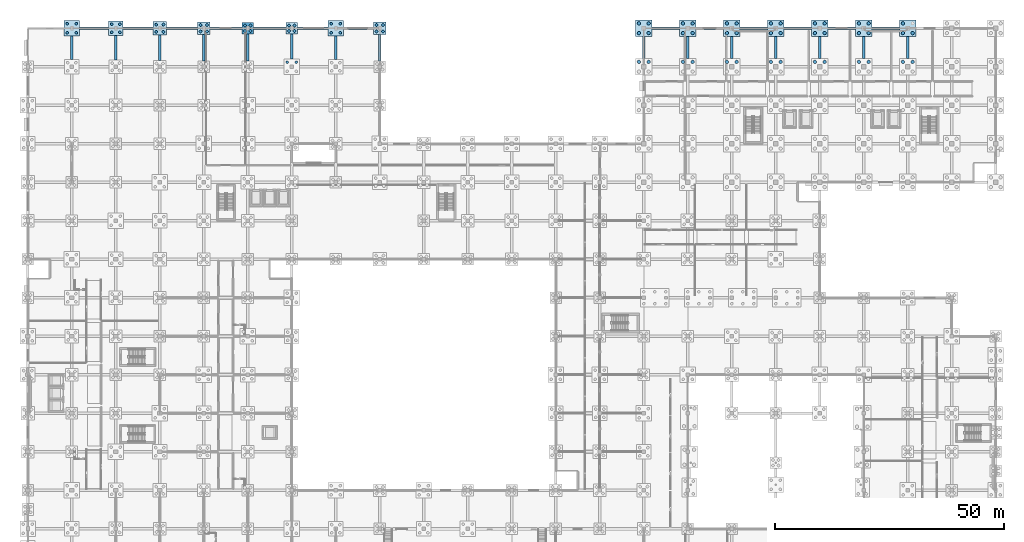
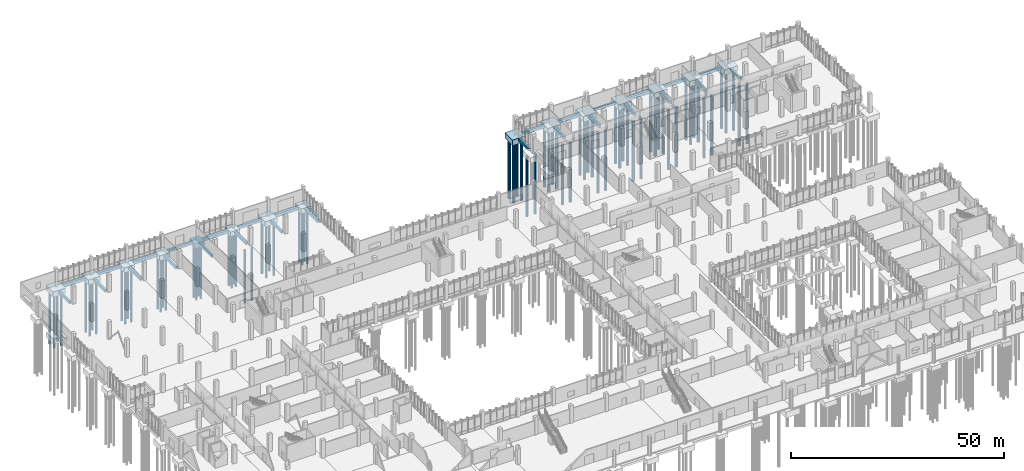
# One storey, part 18 of 136: 75 piles, 43 footings.
"""IFC4 building model written with IfcOpenShell, lengths in metres."""

from ifc_helpers import new_model, si_unit, direction, frame, origin, origin_2d, place, context, subcontext, project, spatial, rectangle, circle, extrude, material, material_profile, profile_set, type_object, element, save


model = new_model("IFC4")

# Units and contexts
model_context = context("Model", 3, precision=1e-05, world=origin(), true_north=direction((0.0, 1.0)))
body_context = subcontext(model_context, "Body", "Model", "MODEL_VIEW")
ifc_project = project(units=[si_unit("LENGTHUNIT", "METRE"), si_unit("AREAUNIT", "SQUARE_METRE"), si_unit("VOLUMEUNIT", "CUBIC_METRE"), si_unit("PLANEANGLEUNIT", "RADIAN"), si_unit("MASSUNIT", "GRAM", prefix="KILO")], contexts=[model_context])

# Site, building, storey
site_placement = place(None, origin())
site = spatial("IfcSite", under=ifc_project, at=site_placement, CompositionType="ELEMENT")
building_placement = place(site_placement, origin())
building = spatial("IfcBuilding", under=site, at=building_placement, Name="Oolite Switchyard Hospital", CompositionType="ELEMENT")
storey_placement = place(building_placement, origin())
storey = spatial("IfcBuildingStorey", under=building, at=storey_placement, Name="L00", CompositionType="ELEMENT", Elevation=0.0)

# Footings
ifc_material = material(Name="Concrete C40/50", Category="concrete")
footing_type_1 = type_object("IfcFootingType", Name="FTG-GB500X800", PredefinedType="FOOTING_BEAM", material=ifc_material)
footing_1_placement = place(storey_placement, frame((24.050048828125, 134.39990234375, -1.14990234375), z_axis=(0.0, 0.0, 1.0), x_axis=(1.0, 0.0, 0.0)))
element("IfcFooting", 1, at=footing_1_placement, inside=storey, type_object=footing_type_1, Name="L00 Grade Beam 252", PredefinedType="FOOTING_BEAM", context=body_context, shape_type="SweptSolid", body=[
    extrude(rectangle(XDim=6.5, YDim=0.5, at=origin_2d()), origin(), (0.0, 0.0, 1.0), 0.800048828125),
])
footing_2_placement = place(storey_placement, frame((43.25, 134.39990234375, -1.14990234375), z_axis=(0.0, 0.0, 1.0), x_axis=(1.0, 0.0, 0.0)))
element("IfcFooting", 2, at=footing_2_placement, inside=storey, type_object=footing_type_1, Name="L00 Grade Beam 254", PredefinedType="FOOTING_BEAM", context=body_context, shape_type="SweptSolid", body=[
    extrude(rectangle(XDim=6.89990234375, YDim=0.5, at=origin_2d()), origin(), (0.0, 0.0, 1.0), 0.800048828125),
])
footing_3_placement = place(storey_placement, frame((62.199951171875, 134.39990234375, -1.14990234375), z_axis=(0.0, 0.0, 1.0), x_axis=(1.0, 0.0, 0.0)))
element("IfcFooting", 3, at=footing_3_placement, inside=storey, type_object=footing_type_1, Name="L00 Grade Beam 256", PredefinedType="FOOTING_BEAM", context=body_context, shape_type="SweptSolid", body=[
    extrude(rectangle(XDim=6.60009765625, YDim=0.5, at=origin_2d()), origin(), (0.0, 0.0, 1.0), 0.800048828125),
])
for number, where, z_axis, x_axis, name in (
    (4, (139.199951171875, 134.39990234375, -1.14990234375), (0.0, 0.0, 1.0), (1.0, 0.0, 0.0), "L00 Grade Beam 258"),
    (5, (158.39990234375, 134.39990234375, -1.14990234375), (0.0, 0.0, 1.0), (1.0, 0.0, 0.0), "L00 Grade Beam 260"),
    (6, (177.60009765625, 134.39990234375, -1.14990234375), (0.0, 0.0, 1.0), (1.0, 0.0, 0.0), "L00 Grade Beam 262"),
):
    element("IfcFooting", number, at=place(storey_placement, frame(where, z_axis=z_axis, x_axis=x_axis)), inside=storey, type_object=footing_type_1, Name=name, PredefinedType="FOOTING_BEAM", context=body_context, shape_type="SweptSolid", body=[
        extrude(rectangle(XDim=6.0, YDim=0.5, at=origin_2d()), origin(), (0.0, 0.0, 1.0), 0.800048828125),
    ])
footing_4_placement = place(storey_placement, frame((9.60009765625, 130.14990234375, -1.14990234375), z_axis=(0.0, 0.0, 1.0), x_axis=(0.0, 1.0, 0.0)))
element("IfcFooting", 7, at=footing_4_placement, inside=storey, type_object=footing_type_1, Name="L00 Grade Beam 295", PredefinedType="FOOTING_BEAM", context=body_context, shape_type="SweptSolid", body=[
    extrude(rectangle(XDim=5.10009765625, YDim=0.5, at=origin_2d()), origin(), (0.0, 0.0, 1.0), 0.800048828125),
])
footing_5_placement = place(storey_placement, frame((19.199951171875, 130.14990234375, -1.14990234375), z_axis=(0.0, 0.0, 1.0), x_axis=(0.0, 1.0, 0.0)))
element("IfcFooting", 8, at=footing_5_placement, inside=storey, type_object=footing_type_1, Name="L00 Grade Beam 311", PredefinedType="FOOTING_BEAM", context=body_context, shape_type="SweptSolid", body=[
    extrude(rectangle(XDim=5.300048828125, YDim=0.5, at=origin_2d()), origin(), (0.0, 0.0, 1.0), 0.800048828125),
])
footing_6_placement = place(storey_placement, frame((28.800048828125, 130.14990234375, -1.14990234375), z_axis=(0.0, 0.0, 1.0), x_axis=(0.0, 1.0, 0.0)))
element("IfcFooting", 9, at=footing_6_placement, inside=storey, type_object=footing_type_1, Name="L00 Grade Beam 327", PredefinedType="FOOTING_BEAM", context=body_context, shape_type="SweptSolid", body=[
    extrude(rectangle(XDim=5.5, YDim=0.5, at=origin_2d()), origin(), (0.0, 0.0, 1.0), 0.800048828125),
])
footing_7_placement = place(storey_placement, frame((38.39990234375, 130.14990234375, -1.14990234375), z_axis=(0.0, 0.0, 1.0), x_axis=(0.0, 1.0, 0.0)))
element("IfcFooting", 10, at=footing_7_placement, inside=storey, type_object=footing_type_1, Name="L00 Grade Beam 343", PredefinedType="FOOTING_BEAM", context=body_context, shape_type="SweptSolid", body=[
    extrude(rectangle(XDim=5.699951171875, YDim=0.5, at=origin_2d()), origin(), (0.0, 0.0, 1.0), 0.800048828125),
])
footing_8_placement = place(storey_placement, frame((48.0, 130.199951171875, -1.14990234375), z_axis=(0.0, 0.0, 1.0), x_axis=(0.0, 1.0, 0.0)))
element("IfcFooting", 11, at=footing_8_placement, inside=storey, type_object=footing_type_1, Name="L00 Grade Beam 359", PredefinedType="FOOTING_BEAM", context=body_context, shape_type="SweptSolid", body=[
    extrude(rectangle(XDim=5.800048828125, YDim=0.5, at=origin_2d()), origin(), (0.0, 0.0, 1.0), 0.800048828125),
])
footing_9_placement = place(storey_placement, frame((57.60009765625, 130.39990234375, -1.14990234375), z_axis=(0.0, 0.0, 1.0), x_axis=(0.0, 1.0, 0.0)))
element("IfcFooting", 12, at=footing_9_placement, inside=storey, type_object=footing_type_1, Name="L00 Grade Beam 375", PredefinedType="FOOTING_BEAM", context=body_context, shape_type="SweptSolid", body=[
    extrude(rectangle(XDim=5.39990234375, YDim=0.5, at=origin_2d()), origin(), (0.0, 0.0, 1.0), 0.800048828125),
])
footing_10_placement = place(storey_placement, frame((67.199951171875, 130.14990234375, -1.14990234375), z_axis=(0.0, 0.0, 1.0), x_axis=(0.0, 1.0, 0.0)))
element("IfcFooting", 13, at=footing_10_placement, inside=storey, type_object=footing_type_1, Name="L00 Grade Beam 383", PredefinedType="FOOTING_BEAM", context=body_context, shape_type="SweptSolid", body=[
    extrude(rectangle(XDim=5.10009765625, YDim=0.5, at=origin_2d()), origin(), (0.0, 0.0, 1.0), 0.800048828125),
])
for number, where, z_axis, x_axis, name in (
    (14, (134.39990234375, 130.199951171875, -1.14990234375), (0.0, 0.0, 1.0), (0.0, 1.0, 0.0), "L00 Grade Beam 433"),
    (15, (172.800048828125, 130.199951171875, -1.14990234375), (0.0, 0.0, 1.0), (0.0, 1.0, 0.0), "L00 Grade Beam 481"),
    (16, (192.0, 130.199951171875, -1.14990234375), (0.0, 0.0, 1.0), (0.0, 1.0, 0.0), "L00 Grade Beam 505"),
):
    element("IfcFooting", number, at=place(storey_placement, frame(where, z_axis=z_axis, x_axis=x_axis)), inside=storey, type_object=footing_type_1, Name=name, PredefinedType="FOOTING_BEAM", context=body_context, shape_type="SweptSolid", body=[
        extrude(rectangle(XDim=4.800048828125, YDim=0.5, at=origin_2d()), origin(), (0.0, 0.0, 1.0), 0.800048828125),
    ])
footing_type_2 = type_object("IfcFootingType", Name="FTG-GB600X900", PredefinedType="FOOTING_BEAM", material=ifc_material)
footing_11_placement = place(storey_placement, frame((14.449951171875, 134.39990234375, -1.25), z_axis=(0.0, 0.0, 1.0), x_axis=(1.0, 0.0, 0.0)))
element("IfcFooting", 17, at=footing_11_placement, inside=storey, type_object=footing_type_2, Name="L00 Grade Beam 251", PredefinedType="FOOTING_BEAM", context=body_context, shape_type="SweptSolid", body=[
    extrude(rectangle(XDim=6.300048828125, YDim=0.60009765625, at=origin_2d()), origin(), (0.0, 0.0, 1.0), 0.89990234375),
])
footing_12_placement = place(storey_placement, frame((33.64990234375, 134.39990234375, -1.25), z_axis=(0.0, 0.0, 1.0), x_axis=(1.0, 0.0, 0.0)))
element("IfcFooting", 18, at=footing_12_placement, inside=storey, type_object=footing_type_2, Name="L00 Grade Beam 253", PredefinedType="FOOTING_BEAM", context=body_context, shape_type="SweptSolid", body=[
    extrude(rectangle(XDim=6.699951171875, YDim=0.60009765625, at=origin_2d()), origin(), (0.0, 0.0, 1.0), 0.89990234375),
])
footing_13_placement = place(storey_placement, frame((52.800048828125, 134.39990234375, -1.25), z_axis=(0.0, 0.0, 1.0), x_axis=(1.0, 0.0, 0.0)))
element("IfcFooting", 19, at=footing_13_placement, inside=storey, type_object=footing_type_2, Name="L00 Grade Beam 255", PredefinedType="FOOTING_BEAM", context=body_context, shape_type="SweptSolid", body=[
    extrude(rectangle(XDim=7.0, YDim=0.60009765625, at=origin_2d()), origin(), (0.0, 0.0, 1.0), 0.89990234375),
])
footing_14_placement = place(storey_placement, frame((72.14990234375, 134.39990234375, -1.25), z_axis=(0.0, 0.0, 1.0), x_axis=(1.0, 0.0, 0.0)))
element("IfcFooting", 20, at=footing_14_placement, inside=storey, type_object=footing_type_2, Name="L00 Grade Beam 257", PredefinedType="FOOTING_BEAM", context=body_context, shape_type="SweptSolid", body=[
    extrude(rectangle(XDim=6.5, YDim=0.60009765625, at=origin_2d()), origin(), (0.0, 0.0, 1.0), 0.89990234375),
])
for number, where, z_axis, x_axis, name in (
    (21, (148.800048828125, 134.39990234375, -1.25), (0.0, 0.0, 1.0), (1.0, 0.0, 0.0), "L00 Grade Beam 259"),
    (22, (168.0, 134.39990234375, -1.25), (0.0, 0.0, 1.0), (1.0, 0.0, 0.0), "L00 Grade Beam 261"),
    (23, (187.199951171875, 134.39990234375, -1.25), (0.0, 0.0, 1.0), (1.0, 0.0, 0.0), "L00 Grade Beam 263"),
):
    element("IfcFooting", number, at=place(storey_placement, frame(where, z_axis=z_axis, x_axis=x_axis)), inside=storey, type_object=footing_type_2, Name=name, PredefinedType="FOOTING_BEAM", context=body_context, shape_type="SweptSolid", body=[
        extrude(rectangle(XDim=6.0, YDim=0.60009765625, at=origin_2d()), origin(), (0.0, 0.0, 1.0), 0.89990234375),
    ])
footing_15_placement = place(storey_placement, frame((76.800048828125, 130.14990234375, -1.25), z_axis=(0.0, 0.0, 1.0), x_axis=(0.0, 1.0, 0.0)))
element("IfcFooting", 24, at=footing_15_placement, inside=storey, type_object=footing_type_2, Name="L00 Grade Beam 388", PredefinedType="FOOTING_BEAM", context=body_context, shape_type="SweptSolid", body=[
    extrude(rectangle(XDim=5.699951171875, YDim=0.60009765625, at=origin_2d()), origin(), (0.0, 0.0, 1.0), 0.89990234375),
])
for number, where, z_axis, x_axis, name in (
    (25, (144.0, 130.199951171875, -1.25), (0.0, 0.0, 1.0), (0.0, 1.0, 0.0), "L00 Grade Beam 442"),
    (26, (153.60009765625, 130.199951171875, -1.25), (0.0, 0.0, 1.0), (0.0, 1.0, 0.0), "L00 Grade Beam 454"),
    (27, (163.199951171875, 130.199951171875, -1.25), (0.0, 0.0, 1.0), (0.0, 1.0, 0.0), "L00 Grade Beam 468"),
    (28, (182.39990234375, 130.199951171875, -1.25), (0.0, 0.0, 1.0), (0.0, 1.0, 0.0), "L00 Grade Beam 492"),
):
    element("IfcFooting", number, at=place(storey_placement, frame(where, z_axis=z_axis, x_axis=x_axis)), inside=storey, type_object=footing_type_2, Name=name, PredefinedType="FOOTING_BEAM", context=body_context, shape_type="SweptSolid", body=[
        extrude(rectangle(XDim=4.800048828125, YDim=0.60009765625, at=origin_2d()), origin(), (0.0, 0.0, 1.0), 0.89990234375),
    ])
footing_type_3 = type_object("IfcFootingType", Name="FTG-PC24", PredefinedType="PILE_CAP", material=ifc_material)
footing_16_placement = place(storey_placement, frame((57.60009765625, 134.39990234375, -1.64990234375), z_axis=(0.0, 0.0, 1.0), x_axis=(1.0, 0.0, 0.0)))
element("IfcFooting", 29, at=footing_16_placement, inside=storey, type_object=footing_type_3, Name="L00 Multi-Pile Cap 121", PredefinedType="PILE_CAP", context=body_context, shape_type="SweptSolid", body=[
    extrude(rectangle(XDim=2.60009765625, YDim=2.60009765625, at=origin_2d()), origin(), (0.0, 0.0, 1.0), 1.300048828125),
])
footing_type_4 = type_object("IfcFootingType", Name="FTG-PC26", PredefinedType="PILE_CAP", material=ifc_material)
footing_17_placement = place(storey_placement, frame((48.0, 134.39990234375, -1.699951171875), z_axis=(0.0, 0.0, 1.0), x_axis=(1.0, 0.0, 0.0)))
element("IfcFooting", 30, at=footing_17_placement, inside=storey, type_object=footing_type_4, Name="L00 Multi-Pile Cap 104", PredefinedType="PILE_CAP", context=body_context, shape_type="SweptSolid", body=[
    extrude(rectangle(XDim=2.60009765625, YDim=2.60009765625, at=origin_2d()), origin(), (0.0, 0.0, 1.0), 1.35009765625),
])
footing_type_5 = type_object("IfcFootingType", Name="FTG-PC28", PredefinedType="PILE_CAP", material=ifc_material)
for number, where, z_axis, x_axis, name in (
    (31, (38.39990234375, 134.39990234375, -1.75), (0.0, 0.0, 1.0), (1.0, 0.0, 0.0), "L00 Multi-Pile Cap 87"),
    (32, (76.800048828125, 134.39990234375, -1.75), (0.0, 0.0, 1.0), (1.0, 0.0, 0.0), "L00 Multi-Pile Cap 141"),
):
    element("IfcFooting", number, at=place(storey_placement, frame(where, z_axis=z_axis, x_axis=x_axis)), inside=storey, type_object=footing_type_5, Name=name, PredefinedType="PILE_CAP", context=body_context, shape_type="SweptSolid", body=[
        extrude(rectangle(XDim=2.800048828125, YDim=2.800048828125, at=origin_2d()), origin(), (0.0, 0.0, 1.0), 1.39990234375),
    ])
footing_type_6 = type_object("IfcFootingType", Name="FTG-PC30", PredefinedType="PILE_CAP", material=ifc_material)
footing_18_placement = place(storey_placement, frame((28.800048828125, 134.39990234375, -1.77001953125), z_axis=(0.0, 0.0, 1.0), x_axis=(1.0, 0.0, 0.0)))
element("IfcFooting", 33, at=footing_18_placement, inside=storey, type_object=footing_type_6, Name="L00 Multi-Pile Cap 70", PredefinedType="PILE_CAP", context=body_context, shape_type="SweptSolid", body=[
    extrude(rectangle(XDim=3.0, YDim=3.0, at=origin_2d()), origin(), (0.0, 0.0, 1.0), 1.419921875),
])
footing_type_7 = type_object("IfcFootingType", Name="FTG-PC32", PredefinedType="PILE_CAP", material=ifc_material)
footing_19_placement = place(storey_placement, frame((19.199951171875, 134.39990234375, -1.7998046875), z_axis=(0.0, 0.0, 1.0), x_axis=(1.0, 0.0, 0.0)))
element("IfcFooting", 34, at=footing_19_placement, inside=storey, type_object=footing_type_7, Name="L00 Multi-Pile Cap 53", PredefinedType="PILE_CAP", context=body_context, shape_type="SweptSolid", body=[
    extrude(rectangle(XDim=3.199951171875, YDim=3.199951171875, at=origin_2d()), origin(), (0.0, 0.0, 1.0), 1.449951171875),
])
footing_type_8 = type_object("IfcFootingType", Name="FTG-PC34", PredefinedType="PILE_CAP", material=ifc_material)
for number, where, z_axis, x_axis, name in (
    (35, (9.60009765625, 134.39990234375, -1.85009765625), (0.0, 0.0, 1.0), (1.0, 0.0, 0.0), "L00 Multi-Pile Cap 36"),
    (36, (67.199951171875, 134.39990234375, -1.85009765625), (0.0, 0.0, 1.0), (1.0, 0.0, 0.0), "L00 Multi-Pile Cap 132"),
):
    element("IfcFooting", number, at=place(storey_placement, frame(where, z_axis=z_axis, x_axis=x_axis)), inside=storey, type_object=footing_type_8, Name=name, PredefinedType="PILE_CAP", context=body_context, shape_type="SweptSolid", body=[
        extrude(rectangle(XDim=3.39990234375, YDim=3.39990234375, at=origin_2d()), origin(), (0.0, 0.0, 1.0), 1.5),
    ])
footing_type_9 = type_object("IfcFootingType", Name="FTG-PC36", PredefinedType="PILE_CAP", material=ifc_material)
for number, where, z_axis, x_axis, name in (
    (37, (134.39990234375, 134.39990234375, -1.89990234375), (0.0, 0.0, 1.0), (1.0, 0.0, 0.0), "L00 Multi-Pile Cap 202"),
    (38, (144.0, 134.39990234375, -1.89990234375), (0.0, 0.0, 1.0), (1.0, 0.0, 0.0), "L00 Multi-Pile Cap 219"),
    (39, (153.60009765625, 134.39990234375, -1.89990234375), (0.0, 0.0, 1.0), (1.0, 0.0, 0.0), "L00 Multi-Pile Cap 234"),
    (40, (163.199951171875, 134.39990234375, -1.89990234375), (0.0, 0.0, 1.0), (1.0, 0.0, 0.0), "L00 Multi-Pile Cap 251"),
    (41, (172.800048828125, 134.39990234375, -1.89990234375), (0.0, 0.0, 1.0), (1.0, 0.0, 0.0), "L00 Multi-Pile Cap 266"),
    (42, (182.39990234375, 134.39990234375, -1.89990234375), (0.0, 0.0, 1.0), (1.0, 0.0, 0.0), "L00 Multi-Pile Cap 281"),
    (43, (192.0, 134.39990234375, -1.89990234375), (0.0, 0.0, 1.0), (1.0, 0.0, 0.0), "L00 Multi-Pile Cap 296"),
):
    element("IfcFooting", number, at=place(storey_placement, frame(where, z_axis=z_axis, x_axis=x_axis)), inside=storey, type_object=footing_type_9, Name=name, PredefinedType="PILE_CAP", context=body_context, shape_type="SweptSolid", body=[
        extrude(rectangle(XDim=3.60009765625, YDim=3.60009765625, at=origin_2d()), origin(), (0.0, 0.0, 1.0), 1.550048828125),
    ])

# Piles
ifc_material_profile_1 = material_profile(ifc_material, circle(Radius=0.300048828125, at=origin_2d()), Name="PILE600")
ifc_profile_set_1 = profile_set([ifc_material_profile_1], Name="Concrete C40/50")
pile_type_1 = type_object("IfcPileType", Name="PILE-ACIP600", PredefinedType="BORED", material=ifc_profile_set_1)
for number, where, z_axis, x_axis, name in (
    (44, (8.60009765625, 133.39990234375, -1.699951171875), (0.0, 0.0, -1.0), (1.0, 0.0, 0.0), "Augercast Pile 141"),
    (45, (10.60009765625, 133.39990234375, -1.699951171875), (0.0, 0.0, -1.0), (1.0, 0.0, 0.0), "Augercast Pile 142"),
    (46, (8.60009765625, 135.39990234375, -1.699951171875), (0.0, 0.0, -1.0), (1.0, 0.0, 0.0), "Augercast Pile 143"),
    (47, (10.60009765625, 135.39990234375, -1.699951171875), (0.0, 0.0, -1.0), (1.0, 0.0, 0.0), "Augercast Pile 144"),
):
    element("IfcPile", number, at=place(storey_placement, frame(where, z_axis=z_axis, x_axis=x_axis)), inside=storey, type_object=pile_type_1, Name=name, PredefinedType="BORED", context=body_context, shape_type="SweptSolid", body=[
        extrude(circle(Radius=0.300048828125, at=origin_2d()), origin(), (0.0, 0.0, 1.0), 15.300048828125),
    ])
for number, where, z_axis, x_axis, name in (
    (48, (18.300048828125, 133.5, -1.64990234375), (0.0, 0.0, -1.0), (1.0, 0.0, 0.0), "Augercast Pile 209"),
    (49, (20.10009765625, 133.5, -1.64990234375), (0.0, 0.0, -1.0), (1.0, 0.0, 0.0), "Augercast Pile 210"),
    (50, (18.300048828125, 135.300048828125, -1.64990234375), (0.0, 0.0, -1.0), (1.0, 0.0, 0.0), "Augercast Pile 211"),
    (51, (20.10009765625, 135.300048828125, -1.64990234375), (0.0, 0.0, -1.0), (1.0, 0.0, 0.0), "Augercast Pile 212"),
):
    element("IfcPile", number, at=place(storey_placement, frame(where, z_axis=z_axis, x_axis=x_axis)), inside=storey, type_object=pile_type_1, Name=name, PredefinedType="BORED", context=body_context, shape_type="SweptSolid", body=[
        extrude(circle(Radius=0.300048828125, at=origin_2d()), origin(), (0.0, 0.0, 1.0), 15.35009765625),
    ])
for number, where, z_axis, x_axis, name in (
    (52, (28.0, 133.60009765625, -1.6201171875), (0.0, 0.0, -1.0), (1.0, 0.0, 0.0), "Augercast Pile 277"),
    (53, (29.60009765625, 133.60009765625, -1.6201171875), (0.0, 0.0, -1.0), (1.0, 0.0, 0.0), "Augercast Pile 278"),
    (54, (28.0, 135.199951171875, -1.6201171875), (0.0, 0.0, -1.0), (1.0, 0.0, 0.0), "Augercast Pile 279"),
    (55, (29.60009765625, 135.199951171875, -1.6201171875), (0.0, 0.0, -1.0), (1.0, 0.0, 0.0), "Augercast Pile 280"),
):
    element("IfcPile", number, at=place(storey_placement, frame(where, z_axis=z_axis, x_axis=x_axis)), inside=storey, type_object=pile_type_1, Name=name, PredefinedType="BORED", context=body_context, shape_type="SweptSolid", body=[
        extrude(circle(Radius=0.300048828125, at=origin_2d()), origin(), (0.0, 0.0, 1.0), 15.3798828125),
    ])
for number, where, z_axis, x_axis, name in (
    (56, (37.699951171875, 133.699951171875, -1.60009765625), (0.0, 0.0, -1.0), (1.0, 0.0, 0.0), "Augercast Pile 345"),
    (57, (39.10009765625, 133.699951171875, -1.60009765625), (0.0, 0.0, -1.0), (1.0, 0.0, 0.0), "Augercast Pile 346"),
    (58, (37.699951171875, 135.10009765625, -1.60009765625), (0.0, 0.0, -1.0), (1.0, 0.0, 0.0), "Augercast Pile 347"),
    (59, (39.10009765625, 135.10009765625, -1.60009765625), (0.0, 0.0, -1.0), (1.0, 0.0, 0.0), "Augercast Pile 348"),
):
    element("IfcPile", number, at=place(storey_placement, frame(where, z_axis=z_axis, x_axis=x_axis)), inside=storey, type_object=pile_type_1, Name=name, PredefinedType="BORED", context=body_context, shape_type="SweptSolid", body=[
        extrude(circle(Radius=0.300048828125, at=origin_2d()), origin(), (0.0, 0.0, 1.0), 15.39990234375),
    ])
for number, where, z_axis, x_axis, name in (
    (60, (47.39990234375, 133.800048828125, -1.550048828125), (0.0, 0.0, -1.0), (1.0, 0.0, 0.0), "Augercast Pile 413"),
    (61, (48.60009765625, 133.800048828125, -1.550048828125), (0.0, 0.0, -1.0), (1.0, 0.0, 0.0), "Augercast Pile 414"),
    (62, (47.39990234375, 135.0, -1.550048828125), (0.0, 0.0, -1.0), (1.0, 0.0, 0.0), "Augercast Pile 415"),
    (63, (48.60009765625, 135.0, -1.550048828125), (0.0, 0.0, -1.0), (1.0, 0.0, 0.0), "Augercast Pile 416"),
):
    element("IfcPile", number, at=place(storey_placement, frame(where, z_axis=z_axis, x_axis=x_axis)), inside=storey, type_object=pile_type_1, Name=name, PredefinedType="BORED", context=body_context, shape_type="SweptSolid", body=[
        extrude(circle(Radius=0.300048828125, at=origin_2d()), origin(), (0.0, 0.0, 1.0), 15.449951171875),
    ])
for number, where, z_axis, x_axis, name in (
    (64, (56.60009765625, 127.0, -1.699951171875), (0.0, 0.0, -1.0), (1.0, 0.0, 0.0), "Augercast Pile 479"),
    (65, (58.60009765625, 127.0, -1.699951171875), (0.0, 0.0, -1.0), (1.0, 0.0, 0.0), "Augercast Pile 480"),
):
    element("IfcPile", number, at=place(storey_placement, frame(where, z_axis=z_axis, x_axis=x_axis)), inside=storey, type_object=pile_type_1, Name=name, PredefinedType="BORED", context=body_context, shape_type="SweptSolid", body=[
        extrude(circle(Radius=0.300048828125, at=origin_2d()), origin(), (0.0, 0.0, 1.0), 15.300048828125),
    ])
for number, where, z_axis, x_axis, name in (
    (66, (57.0, 133.800048828125, -1.5), (0.0, 0.0, -1.0), (1.0, 0.0, 0.0), "Augercast Pile 481"),
    (67, (58.199951171875, 133.800048828125, -1.5), (0.0, 0.0, -1.0), (1.0, 0.0, 0.0), "Augercast Pile 482"),
    (68, (57.0, 135.0, -1.5), (0.0, 0.0, -1.0), (1.0, 0.0, 0.0), "Augercast Pile 483"),
    (69, (58.199951171875, 135.0, -1.5), (0.0, 0.0, -1.0), (1.0, 0.0, 0.0), "Augercast Pile 484"),
):
    element("IfcPile", number, at=place(storey_placement, frame(where, z_axis=z_axis, x_axis=x_axis)), inside=storey, type_object=pile_type_1, Name=name, PredefinedType="BORED", context=body_context, shape_type="SweptSolid", body=[
        extrude(circle(Radius=0.300048828125, at=origin_2d()), origin(), (0.0, 0.0, 1.0), 15.5),
    ])
for number, where, z_axis, x_axis, name in (
    (70, (66.199951171875, 133.39990234375, -1.699951171875), (0.0, 0.0, -1.0), (1.0, 0.0, 0.0), "Augercast Pile 525"),
    (71, (68.199951171875, 133.39990234375, -1.699951171875), (0.0, 0.0, -1.0), (1.0, 0.0, 0.0), "Augercast Pile 526"),
    (72, (66.199951171875, 135.39990234375, -1.699951171875), (0.0, 0.0, -1.0), (1.0, 0.0, 0.0), "Augercast Pile 527"),
    (73, (68.199951171875, 135.39990234375, -1.699951171875), (0.0, 0.0, -1.0), (1.0, 0.0, 0.0), "Augercast Pile 528"),
):
    element("IfcPile", number, at=place(storey_placement, frame(where, z_axis=z_axis, x_axis=x_axis)), inside=storey, type_object=pile_type_1, Name=name, PredefinedType="BORED", context=body_context, shape_type="SweptSolid", body=[
        extrude(circle(Radius=0.300048828125, at=origin_2d()), origin(), (0.0, 0.0, 1.0), 15.300048828125),
    ])
for number, where, z_axis, x_axis, name in (
    (74, (76.10009765625, 133.699951171875, -1.60009765625), (0.0, 0.0, -1.0), (1.0, 0.0, 0.0), "Augercast Pile 561"),
    (75, (77.5, 133.699951171875, -1.60009765625), (0.0, 0.0, -1.0), (1.0, 0.0, 0.0), "Augercast Pile 562"),
    (76, (76.10009765625, 135.10009765625, -1.60009765625), (0.0, 0.0, -1.0), (1.0, 0.0, 0.0), "Augercast Pile 563"),
    (77, (77.5, 135.10009765625, -1.60009765625), (0.0, 0.0, -1.0), (1.0, 0.0, 0.0), "Augercast Pile 564"),
):
    element("IfcPile", number, at=place(storey_placement, frame(where, z_axis=z_axis, x_axis=x_axis)), inside=storey, type_object=pile_type_1, Name=name, PredefinedType="BORED", context=body_context, shape_type="SweptSolid", body=[
        extrude(circle(Radius=0.300048828125, at=origin_2d()), origin(), (0.0, 0.0, 1.0), 15.39990234375),
    ])
ifc_material_profile_2 = material_profile(ifc_material, circle(Radius=0.375, at=origin_2d()), Name="PILE750")
ifc_profile_set_2 = profile_set([ifc_material_profile_2], Name="Concrete C40/50")
pile_type_2 = type_object("IfcPileType", Name="PILE-ACIP750", PredefinedType="BORED", material=ifc_profile_set_2)
for number, where, z_axis, x_axis, name in (
    (78, (133.35009765625, 127.050048828125, -1.75), (0.0, 0.0, -1.0), (1.0, 0.0, 0.0), "Augercast Pile 805"),
    (79, (135.449951171875, 127.050048828125, -1.75), (0.0, 0.0, -1.0), (1.0, 0.0, 0.0), "Augercast Pile 806"),
    (80, (133.35009765625, 133.35009765625, -1.75), (0.0, 0.0, -1.0), (1.0, 0.0, 0.0), "Augercast Pile 807"),
    (81, (135.449951171875, 133.35009765625, -1.75), (0.0, 0.0, -1.0), (1.0, 0.0, 0.0), "Augercast Pile 808"),
    (82, (133.35009765625, 135.449951171875, -1.75), (0.0, 0.0, -1.0), (1.0, 0.0, 0.0), "Augercast Pile 809"),
    (83, (135.449951171875, 135.449951171875, -1.75), (0.0, 0.0, -1.0), (1.0, 0.0, 0.0), "Augercast Pile 810"),
    (84, (142.949951171875, 127.050048828125, -1.75), (0.0, 0.0, -1.0), (1.0, 0.0, 0.0), "Augercast Pile 877"),
    (85, (145.050048828125, 127.050048828125, -1.75), (0.0, 0.0, -1.0), (1.0, 0.0, 0.0), "Augercast Pile 878"),
    (86, (142.949951171875, 133.35009765625, -1.75), (0.0, 0.0, -1.0), (1.0, 0.0, 0.0), "Augercast Pile 879"),
    (87, (145.050048828125, 133.35009765625, -1.75), (0.0, 0.0, -1.0), (1.0, 0.0, 0.0), "Augercast Pile 880"),
    (88, (142.949951171875, 135.449951171875, -1.75), (0.0, 0.0, -1.0), (1.0, 0.0, 0.0), "Augercast Pile 881"),
    (89, (145.050048828125, 135.449951171875, -1.75), (0.0, 0.0, -1.0), (1.0, 0.0, 0.0), "Augercast Pile 882"),
    (90, (152.550048828125, 127.050048828125, -1.75), (0.0, 0.0, -1.0), (1.0, 0.0, 0.0), "Augercast Pile 939"),
    (91, (154.64990234375, 127.050048828125, -1.75), (0.0, 0.0, -1.0), (1.0, 0.0, 0.0), "Augercast Pile 940"),
    (92, (152.550048828125, 133.35009765625, -1.75), (0.0, 0.0, -1.0), (1.0, 0.0, 0.0), "Augercast Pile 941"),
    (93, (154.64990234375, 133.35009765625, -1.75), (0.0, 0.0, -1.0), (1.0, 0.0, 0.0), "Augercast Pile 942"),
    (94, (152.550048828125, 135.449951171875, -1.75), (0.0, 0.0, -1.0), (1.0, 0.0, 0.0), "Augercast Pile 943"),
    (95, (154.64990234375, 135.449951171875, -1.75), (0.0, 0.0, -1.0), (1.0, 0.0, 0.0), "Augercast Pile 944"),
    (96, (162.14990234375, 127.050048828125, -1.75), (0.0, 0.0, -1.0), (1.0, 0.0, 0.0), "Augercast Pile 1011"),
    (97, (164.25, 127.050048828125, -1.75), (0.0, 0.0, -1.0), (1.0, 0.0, 0.0), "Augercast Pile 1012"),
    (98, (162.14990234375, 133.35009765625, -1.75), (0.0, 0.0, -1.0), (1.0, 0.0, 0.0), "Augercast Pile 1013"),
    (99, (164.25, 133.35009765625, -1.75), (0.0, 0.0, -1.0), (1.0, 0.0, 0.0), "Augercast Pile 1014"),
    (100, (162.14990234375, 135.449951171875, -1.75), (0.0, 0.0, -1.0), (1.0, 0.0, 0.0), "Augercast Pile 1015"),
    (101, (164.25, 135.449951171875, -1.75), (0.0, 0.0, -1.0), (1.0, 0.0, 0.0), "Augercast Pile 1016"),
    (102, (171.75, 127.050048828125, -1.75), (0.0, 0.0, -1.0), (1.0, 0.0, 0.0), "Augercast Pile 1073"),
    (103, (173.85009765625, 127.050048828125, -1.75), (0.0, 0.0, -1.0), (1.0, 0.0, 0.0), "Augercast Pile 1074"),
    (104, (171.75, 133.35009765625, -1.75), (0.0, 0.0, -1.0), (1.0, 0.0, 0.0), "Augercast Pile 1075"),
    (105, (173.85009765625, 133.35009765625, -1.75), (0.0, 0.0, -1.0), (1.0, 0.0, 0.0), "Augercast Pile 1076"),
    (106, (171.75, 135.449951171875, -1.75), (0.0, 0.0, -1.0), (1.0, 0.0, 0.0), "Augercast Pile 1077"),
    (107, (173.85009765625, 135.449951171875, -1.75), (0.0, 0.0, -1.0), (1.0, 0.0, 0.0), "Augercast Pile 1078"),
    (108, (181.35009765625, 127.050048828125, -1.75), (0.0, 0.0, -1.0), (1.0, 0.0, 0.0), "Augercast Pile 1133"),
    (109, (183.449951171875, 127.050048828125, -1.75), (0.0, 0.0, -1.0), (1.0, 0.0, 0.0), "Augercast Pile 1134"),
    (110, (181.35009765625, 133.35009765625, -1.75), (0.0, 0.0, -1.0), (1.0, 0.0, 0.0), "Augercast Pile 1135"),
    (111, (183.449951171875, 133.35009765625, -1.75), (0.0, 0.0, -1.0), (1.0, 0.0, 0.0), "Augercast Pile 1136"),
    (112, (181.35009765625, 135.449951171875, -1.75), (0.0, 0.0, -1.0), (1.0, 0.0, 0.0), "Augercast Pile 1137"),
    (113, (183.449951171875, 135.449951171875, -1.75), (0.0, 0.0, -1.0), (1.0, 0.0, 0.0), "Augercast Pile 1138"),
    (114, (190.949951171875, 127.050048828125, -1.75), (0.0, 0.0, -1.0), (1.0, 0.0, 0.0), "Augercast Pile 1195"),
    (115, (193.050048828125, 127.050048828125, -1.75), (0.0, 0.0, -1.0), (1.0, 0.0, 0.0), "Augercast Pile 1196"),
    (116, (190.949951171875, 133.35009765625, -1.75), (0.0, 0.0, -1.0), (1.0, 0.0, 0.0), "Augercast Pile 1197"),
    (117, (193.050048828125, 133.35009765625, -1.75), (0.0, 0.0, -1.0), (1.0, 0.0, 0.0), "Augercast Pile 1198"),
    (118, (190.949951171875, 135.449951171875, -1.75), (0.0, 0.0, -1.0), (1.0, 0.0, 0.0), "Augercast Pile 1199"),
):
    element("IfcPile", number, at=place(storey_placement, frame(where, z_axis=z_axis, x_axis=x_axis)), inside=storey, type_object=pile_type_2, Name=name, PredefinedType="BORED", context=body_context, shape_type="SweptSolid", body=[
        extrude(circle(Radius=0.375, at=origin_2d()), origin(), (0.0, 0.0, 1.0), 17.25),
    ])

save(model, "model.ifc")
